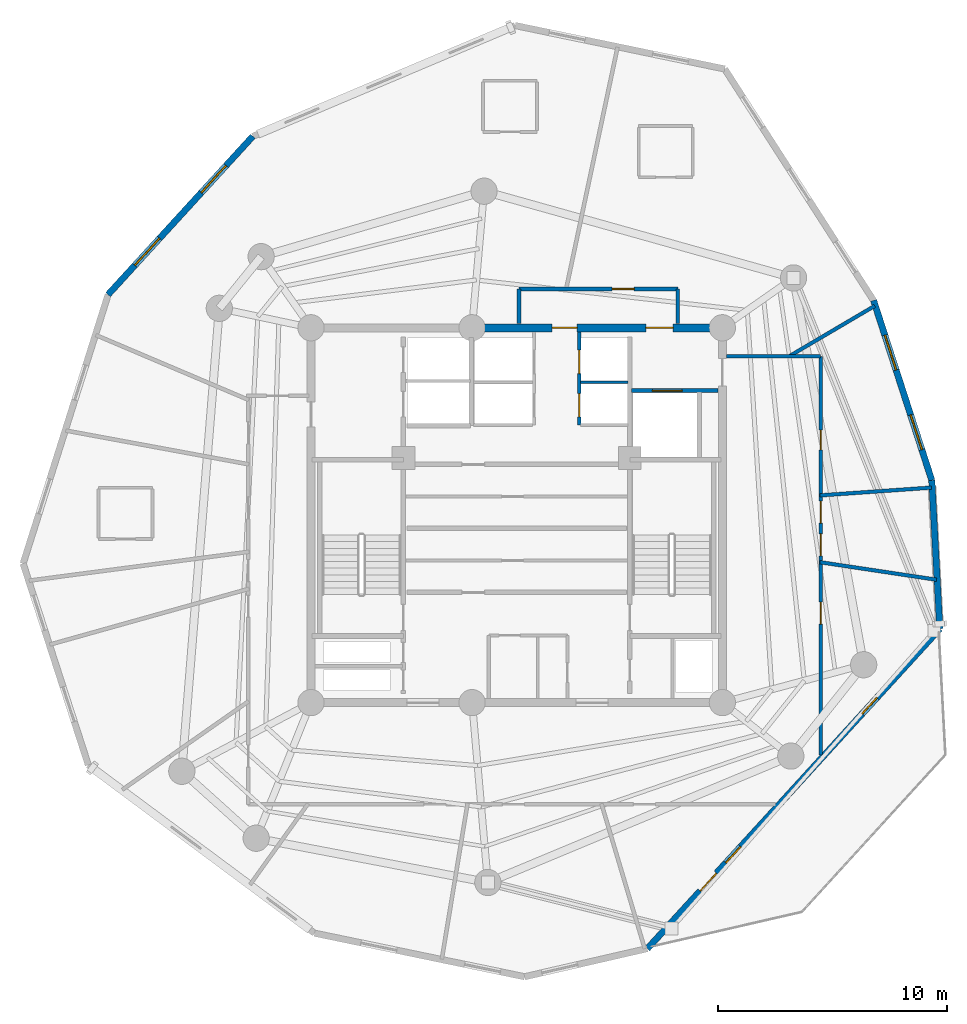
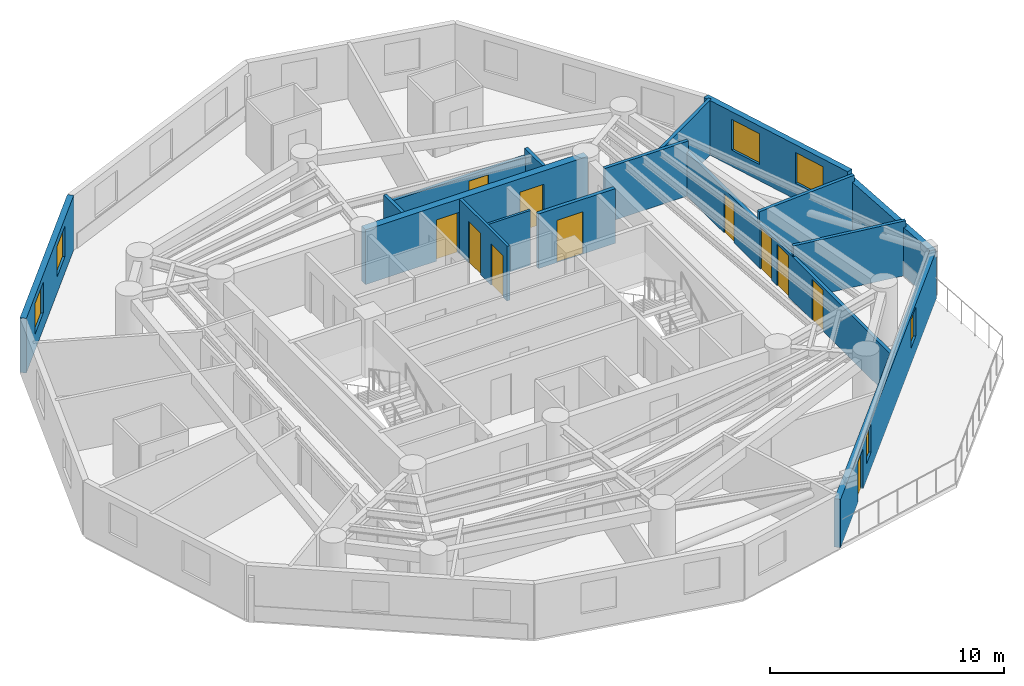
# One storey, part 5 of 9: 16 walls, 11 doors, 6 windows, 17 openings.
"""IFC4 building model written with IfcOpenShell, lengths in metres."""

from ifc_helpers import new_model, si_unit, direction, frame, frame_2d, origin, origin_with_axes, place, context, subcontext, project, spatial, rectangle, extrude, source, transform, mapped, material, layer, layer_set, type_object, element, fill, save


model = new_model("IFC4")

# Units and contexts
model_context = context("Model", 3, precision=1e-05, world=origin(), true_north=direction((0.0, 1.0)))
body_context = subcontext(model_context, "Body", "Model", "MODEL_VIEW")
ifc_project = project(units=[si_unit("LENGTHUNIT", "METRE"), si_unit("AREAUNIT", "SQUARE_METRE"), si_unit("VOLUMEUNIT", "CUBIC_METRE"), si_unit("PLANEANGLEUNIT", "RADIAN"), si_unit("MASSUNIT", "GRAM", prefix="KILO")], contexts=[model_context])

# Site, building, storey
site_placement = place(None, origin())
site = spatial("IfcSite", under=ifc_project, at=site_placement, CompositionType="ELEMENT")
building_placement = place(site_placement, origin())
building = spatial("IfcBuilding", under=site, at=building_placement, Name="Karkom Vertical University and Central Library", CompositionType="ELEMENT")
storey_placement = place(building_placement, frame((0.0, 0.0, 232.14990234375)))
storey = spatial("IfcBuildingStorey", under=building, at=storey_placement, Name="L68", CompositionType="ELEMENT", Elevation=232.14990234375)

# Wall, openings, door, windows
ifc_material_1 = material(Name="Brick-faced precast concrete C45/55", Category="masonry")
ifc_layer_1 = layer(ifc_material_1, 0.280029296875)
ifc_layer_set_1 = layer_set([ifc_layer_1], Name="Brick-faced precast concrete C45/55")
wall_type_1 = type_object("IfcWallType", Name="ENV-WL-BRK-280", PredefinedType="SOLIDWALL", material=ifc_layer_set_1)
wall_1_placement = place(storey_placement, frame((34.21826171875, 7.533203125, 0.0), z_axis=(0.0, 0.0, 1.0), x_axis=(0.674833312229, 0.737970189578, 0.0)))
wall_1 = element("IfcWall", 1, at=wall_1_placement, inside=storey, type_object=wall_type_1, Name="Level 68 Brick-Faced Precast Facade Wall 04", PredefinedType="SOLIDWALL", context=body_context, shape_type="SweptSolid", body=[
    extrude(rectangle(XDim=18.963134765625, YDim=0.280029296875, at=frame_2d((9.4814453125, 0.0))), origin(), (0.0, 0.0, 1.0), 2.52001953125),
])
opening_1_placement = place(wall_1_placement, frame((5.0908203125, 0.0, 0.85009765625)))
opening_1 = element("IfcOpeningElement", 2, at=opening_1_placement, cuts=wall_1, Name="Opening WN-12", PredefinedType="OPENING", context=body_context, shape_type="SweptSolid", body=[
    extrude(rectangle(XDim=0.949951171875, YDim=1.5, at=frame_2d((0.47509765625, 0.75))), frame((0.0, 0.14990234375, 0.0), z_axis=(0.0, -1.0, 0.0), x_axis=(1.0, 0.0, 0.0)), (0.0, 0.0, 1.0), 0.300048828125),
])
opening_2_placement = place(wall_1_placement, frame((13.927978515625, 0.0, 0.85009765625)))
opening_2 = element("IfcOpeningElement", 3, at=opening_2_placement, cuts=wall_1, Name="Opening WN-12", PredefinedType="OPENING", context=body_context, shape_type="SweptSolid", body=[
    extrude(rectangle(XDim=0.949951171875, YDim=1.5, at=frame_2d((0.47509765625, 0.75))), frame((0.0, 0.14990234375, 0.0), z_axis=(0.0, -1.0, 0.0), x_axis=(1.0, 0.0, 0.0)), (0.0, 0.0, 1.0), 0.300048828125),
])
opening_3_placement = place(wall_1_placement, frame((3.425537109375, 0.0, 0.0)))
opening_3 = element("IfcOpeningElement", 4, at=opening_3_placement, cuts=wall_1, Name="Opening TD-1", PredefinedType="OPENING", context=body_context, shape_type="SweptSolid", body=[
    extrude(rectangle(XDim=1.050048828125, YDim=2.1201171875, at=frame_2d((0.52490234375, 1.06005859375))), frame((0.0, 0.14990234375, 0.0), z_axis=(0.0, -1.0, 0.0), x_axis=(1.0, 0.0, 0.0)), (0.0, 0.0, 1.0), 0.300048828125),
])
ifc_material_2 = material(Name="Thermally broken glazed aluminium terrace door", Category="aluminium")
door_type_1 = type_object("IfcDoorType", Name="ENV-DR-TERR", OperationType="NOTDEFINED", PredefinedType="DOOR", material=ifc_material_2)
shared_shape_1 = source(origin_with_axes(), body_context, "Body", "SweptSolid", [
    extrude(rectangle(XDim=1.050048828125, YDim=2.1201171875, at=frame_2d((0.52490234375, 1.06005859375))), frame((0.0, 0.02490234375, 0.0), z_axis=(0.0, -1.0, 0.0), x_axis=(1.0, 0.0, 0.0)), (0.0, 0.0, 1.0), 0.050048828125),
])
door_1_placement = place(opening_3_placement, origin())
door_1 = element("IfcDoor", 5, at=door_1_placement, inside=storey, type_object=door_type_1, Name="Level 68 Outdoor Terrace Access Door", OperationType="SINGLE_SWING_LEFT", OverallHeight=2.1201171875, OverallWidth=1.050048828125, PredefinedType="DOOR", context=body_context, shape_type="MappedRepresentation", body=[
    mapped(shared_shape_1, transform((0.0, 0.0, 0.0), scale=1.0)),
])
fill(opening_3, door_1)
ifc_material_3 = material(Name="Aluminium thermal-break frame with solar-control IGU", Category="aluminium")
window_type_1 = type_object("IfcWindowType", Name="ENV-WIN-WN-12", PartitioningType="SINGLE_PANEL", PredefinedType="WINDOW", material=ifc_material_3)
shared_shape_2 = source(origin_with_axes(), body_context, "Body", "SweptSolid", [
    extrude(rectangle(XDim=0.949951171875, YDim=1.5, at=frame_2d((0.47509765625, 0.75))), frame((0.0, 0.030029296875, 0.0), z_axis=(0.0, -1.0, 0.0), x_axis=(1.0, 0.0, 0.0)), (0.0, 0.0, 1.0), 0.06005859375),
])
window_1_placement = place(opening_1_placement, origin())
window_1 = element("IfcWindow", 6, at=window_1_placement, inside=storey, type_object=window_type_1, Name="Level 68 Punched Window 4.1", OverallHeight=1.5, OverallWidth=0.949951171875, PartitioningType="SINGLE_PANEL", PredefinedType="WINDOW", context=body_context, shape_type="MappedRepresentation", body=[
    mapped(shared_shape_2, transform((0.0, 0.0, 0.0), scale=1.0)),
])
fill(opening_1, window_1)
window_2_placement = place(opening_2_placement, origin())
window_2 = element("IfcWindow", 7, at=window_2_placement, inside=storey, type_object=window_type_1, Name="Level 68 Punched Window 4.2", OverallHeight=1.5, OverallWidth=0.949951171875, PartitioningType="SINGLE_PANEL", PredefinedType="WINDOW", context=body_context, shape_type="MappedRepresentation", body=[
    mapped(shared_shape_2, transform((0.0, 0.0, 0.0), scale=1.0)),
])
fill(opening_2, window_2)

# Wall
wall_2_placement = place(storey_placement, frame((47.01513671875, 21.52734375, 0.0), z_axis=(0.0, 0.0, 1.0), x_axis=(-0.054009623174, 0.998540415108, 0.0)))
element("IfcWall", 8, at=wall_2_placement, inside=storey, type_object=wall_type_1, Name="Level 68 Brick-Faced Precast Facade Wall 05", PredefinedType="SOLIDWALL", context=body_context, shape_type="SweptSolid", body=[
    extrude(rectangle(XDim=6.50927734375, YDim=0.280029296875, at=frame_2d((3.254638671875, 0.0))), origin(), (0.0, 0.0, 1.0), 2.52001953125),
])

# Wall, openings, windows
wall_3_placement = place(storey_placement, frame((46.66357421875, 28.027099609375, 0.0), z_axis=(0.0, 0.0, 1.0), x_axis=(-0.307705547062, 0.951481632144, 0.0)))
wall_3 = element("IfcWall", 9, at=wall_3_placement, inside=storey, type_object=wall_type_1, Name="Level 68 Brick-Faced Precast Facade Wall 06", PredefinedType="SOLIDWALL", context=body_context, shape_type="SweptSolid", body=[
    extrude(rectangle(XDim=8.271484375, YDim=0.280029296875, at=frame_2d((4.1357421875, 0.0))), origin(), (0.0, 0.0, 1.0), 2.85009765625),
])
opening_4_placement = place(wall_3_placement, frame((1.410400390625, 0.0, 0.85009765625)))
opening_4 = element("IfcOpeningElement", 10, at=opening_4_placement, cuts=wall_3, Name="Opening WN-10", PredefinedType="OPENING", context=body_context, shape_type="SweptSolid", body=[
    extrude(rectangle(XDim=1.60009765625, YDim=1.60009765625, at=frame_2d((0.800048828125, 0.800048828125))), frame((0.0, 0.14990234375, 0.0), z_axis=(0.0, -1.0, 0.0), x_axis=(1.0, 0.0, 0.0)), (0.0, 0.0, 1.0), 0.300048828125),
])
opening_5_placement = place(wall_3_placement, frame((5.071533203125, 0.0, 0.85009765625)))
opening_5 = element("IfcOpeningElement", 11, at=opening_5_placement, cuts=wall_3, Name="Opening WN-10", PredefinedType="OPENING", context=body_context, shape_type="SweptSolid", body=[
    extrude(rectangle(XDim=1.60009765625, YDim=1.60009765625, at=frame_2d((0.800048828125, 0.800048828125))), frame((0.0, 0.14990234375, 0.0), z_axis=(0.0, -1.0, 0.0), x_axis=(1.0, 0.0, 0.0)), (0.0, 0.0, 1.0), 0.300048828125),
])
window_type_2 = type_object("IfcWindowType", Name="ENV-WIN-WN-10", PartitioningType="SINGLE_PANEL", PredefinedType="WINDOW", material=ifc_material_3)
shared_shape_3 = source(origin_with_axes(), body_context, "Body", "SweptSolid", [
    extrude(rectangle(XDim=1.60009765625, YDim=1.60009765625, at=frame_2d((0.800048828125, 0.800048828125))), frame((0.0, 0.030029296875, 0.0), z_axis=(0.0, -1.0, 0.0), x_axis=(1.0, 0.0, 0.0)), (0.0, 0.0, 1.0), 0.06005859375),
])
window_3_placement = place(opening_4_placement, origin())
window_3 = element("IfcWindow", 12, at=window_3_placement, inside=storey, type_object=window_type_2, Name="Level 68 Punched Window 6.1", OverallHeight=1.60009765625, OverallWidth=1.60009765625, PartitioningType="SINGLE_PANEL", PredefinedType="WINDOW", context=body_context, shape_type="MappedRepresentation", body=[
    mapped(shared_shape_3, transform((0.0, 0.0, 0.0), scale=1.0)),
])
fill(opening_4, window_3)
window_4_placement = place(opening_5_placement, origin())
window_4 = element("IfcWindow", 13, at=window_4_placement, inside=storey, type_object=window_type_2, Name="Level 68 Punched Window 6.2", OverallHeight=1.60009765625, OverallWidth=1.60009765625, PartitioningType="SINGLE_PANEL", PredefinedType="WINDOW", context=body_context, shape_type="MappedRepresentation", body=[
    mapped(shared_shape_3, transform((0.0, 0.0, 0.0), scale=1.0)),
])
fill(opening_5, window_4)

wall_4_placement = place(storey_placement, frame((16.955078125, 43.0791015625, 0.0), z_axis=(0.0, 0.0, 1.0), x_axis=(-0.674839626523, -0.737964415453, 0.0)))
wall_4 = element("IfcWall", 14, at=wall_4_placement, inside=storey, type_object=wall_type_1, Name="Level 68 Brick-Faced Precast Facade Wall 10", PredefinedType="SOLIDWALL", context=body_context, shape_type="SweptSolid", body=[
    extrude(rectangle(XDim=9.38671875, YDim=0.280029296875, at=frame_2d((4.693359375, 0.0))), origin(), (0.0, 0.0, 1.0), 2.85009765625),
])
opening_6_placement = place(wall_4_placement, frame((1.73681640625, 0.0, 0.85009765625)))
opening_6 = element("IfcOpeningElement", 15, at=opening_6_placement, cuts=wall_4, Name="Opening WN-10", PredefinedType="OPENING", context=body_context, shape_type="SweptSolid", body=[
    extrude(rectangle(XDim=1.60009765625, YDim=1.60009765625, at=frame_2d((0.800048828125, 0.800048828125))), frame((0.0, 0.14990234375, 0.0), z_axis=(0.0, -1.0, 0.0), x_axis=(1.0, 0.0, 0.0)), (0.0, 0.0, 1.0), 0.300048828125),
])
opening_7_placement = place(wall_4_placement, frame((6.050048828125, 0.0, 0.85009765625)))
opening_7 = element("IfcOpeningElement", 16, at=opening_7_placement, cuts=wall_4, Name="Opening WN-10", PredefinedType="OPENING", context=body_context, shape_type="SweptSolid", body=[
    extrude(rectangle(XDim=1.60009765625, YDim=1.60009765625, at=frame_2d((0.800048828125, 0.800048828125))), frame((0.0, 0.14990234375, 0.0), z_axis=(0.0, -1.0, 0.0), x_axis=(1.0, 0.0, 0.0)), (0.0, 0.0, 1.0), 0.300048828125),
])
window_5_placement = place(opening_6_placement, origin())
window_5 = element("IfcWindow", 17, at=window_5_placement, inside=storey, type_object=window_type_2, Name="Level 68 Punched Window 10.1", OverallHeight=1.60009765625, OverallWidth=1.60009765625, PartitioningType="SINGLE_PANEL", PredefinedType="WINDOW", context=body_context, shape_type="MappedRepresentation", body=[
    mapped(shared_shape_3, transform((0.0, 0.0, 0.0), scale=1.0)),
])
fill(opening_6, window_5)
window_6_placement = place(opening_7_placement, origin())
window_6 = element("IfcWindow", 18, at=window_6_placement, inside=storey, type_object=window_type_2, Name="Level 68 Punched Window 10.2", OverallHeight=1.60009765625, OverallWidth=1.60009765625, PartitioningType="SINGLE_PANEL", PredefinedType="WINDOW", context=body_context, shape_type="MappedRepresentation", body=[
    mapped(shared_shape_3, transform((0.0, 0.0, 0.0), scale=1.0)),
])
fill(opening_7, window_6)

# Wall, openings, doors
ifc_material_4 = material(Name="Insulated metal-stud drywall 160mm", Category="gypsum")
ifc_layer_2 = layer(ifc_material_4, 0.159912109375)
ifc_layer_set_2 = layer_set([ifc_layer_2], Name="Insulated metal-stud drywall 160mm")
wall_type_2 = type_object("IfcWallType", Name="INT-WL-COR-160", PredefinedType="PARTITIONING", material=ifc_layer_set_2)
wall_5_placement = place(storey_placement, frame((41.800048828125, 33.449951171875, 0.0), z_axis=(0.0, 0.0, 1.0), x_axis=(0.0, -1.0, 0.0)))
wall_5 = element("IfcWall", 19, at=wall_5_placement, inside=storey, type_object=wall_type_2, Name="Level 68 Interior Partition Wall L68-CORW-CW-005", PredefinedType="PARTITIONING", context=body_context, shape_type="SweptSolid", body=[
    extrude(rectangle(XDim=17.433349609375, YDim=0.159912109375, at=frame_2d((8.716796875, 0.0))), origin(), (0.0, 0.0, 1.0), 2.300048828125),
])
opening_8_placement = place(wall_5_placement, frame((10.75048828125, 0.0, 0.0)))
opening_8 = element("IfcOpeningElement", 20, at=opening_8_placement, cuts=wall_5, Name="Opening FD-RM2", PredefinedType="OPENING", context=body_context, shape_type="SweptSolid", body=[
    extrude(rectangle(XDim=0.9599609375, YDim=2.14990234375, at=frame_2d((0.47998046875, 1.074951171875))), frame((0.0, 0.08984375, 0.0), z_axis=(0.0, -1.0, 0.0), x_axis=(1.0, 0.0, 0.0)), (0.0, 0.0, 1.0), 0.179931640625),
])
opening_9_placement = place(wall_5_placement, frame((7.77001953125, 0.0, 0.0)))
opening_9 = element("IfcOpeningElement", 21, at=opening_9_placement, cuts=wall_5, Name="Opening FD-RM2", PredefinedType="OPENING", context=body_context, shape_type="SweptSolid", body=[
    extrude(rectangle(XDim=0.9599609375, YDim=2.14990234375, at=frame_2d((0.47998046875, 1.074951171875))), frame((0.0, 0.08984375, 0.0), z_axis=(0.0, -1.0, 0.0), x_axis=(1.0, 0.0, 0.0)), (0.0, 0.0, 1.0), 0.179931640625),
])
opening_10_placement = place(wall_5_placement, frame((6.33251953125, 0.0, 0.0)))
opening_10 = element("IfcOpeningElement", 22, at=opening_10_placement, cuts=wall_5, Name="Opening FD-RM2", PredefinedType="OPENING", context=body_context, shape_type="SweptSolid", body=[
    extrude(rectangle(XDim=0.9599609375, YDim=2.14990234375, at=frame_2d((0.47998046875, 1.074951171875))), frame((0.0, 0.08984375, 0.0), z_axis=(0.0, -1.0, 0.0), x_axis=(1.0, 0.0, 0.0)), (0.0, 0.0, 1.0), 0.179931640625),
])
opening_11_placement = place(wall_5_placement, frame((3.231201171875, 0.0, 0.0)))
opening_11 = element("IfcOpeningElement", 23, at=opening_11_placement, cuts=wall_5, Name="Opening FD-BTH2", PredefinedType="OPENING", context=body_context, shape_type="SweptSolid", body=[
    extrude(rectangle(XDim=0.860107421875, YDim=2.0400390625, at=frame_2d((0.43017578125, 1.02001953125))), frame((0.0, 0.08984375, 0.0), z_axis=(0.0, -1.0, 0.0), x_axis=(1.0, 0.0, 0.0)), (0.0, 0.0, 1.0), 0.179931640625),
])
ifc_material_5 = material(Name="Fire-rated oak veneer door", Category="wood")
door_type_2 = type_object("IfcDoorType", Name="INT-DR-FRM2", OperationType="NOTDEFINED", PredefinedType="DOOR", material=ifc_material_5)
shared_shape_4 = source(origin_with_axes(), body_context, "Body", "SweptSolid", [
    extrude(rectangle(XDim=0.9599609375, YDim=2.14990234375, at=frame_2d((0.47998046875, 1.074951171875))), frame((0.0, 0.02490234375, 0.0), z_axis=(0.0, -1.0, 0.0), x_axis=(1.0, 0.0, 0.0)), (0.0, 0.0, 1.0), 0.050048828125),
])
door_2_placement = place(opening_8_placement, origin())
door_2 = element("IfcDoor", 24, at=door_2_placement, inside=storey, type_object=door_type_2, Name="Level 68 Room Entry Door 306", OperationType="SINGLE_SWING_RIGHT", OverallHeight=2.14990234375, OverallWidth=0.9599609375, PredefinedType="DOOR", context=body_context, shape_type="MappedRepresentation", body=[
    mapped(shared_shape_4, transform((0.0, 0.0, 0.0), scale=1.0)),
])
fill(opening_8, door_2)
door_3_placement = place(opening_9_placement, origin())
door_3 = element("IfcDoor", 25, at=door_3_placement, inside=storey, type_object=door_type_2, Name="Level 68 Room Entry Door 307", OperationType="SINGLE_SWING_LEFT", OverallHeight=2.14990234375, OverallWidth=0.9599609375, PredefinedType="DOOR", context=body_context, shape_type="MappedRepresentation", body=[
    mapped(shared_shape_4, transform((0.0, 0.0, 0.0), scale=1.0)),
])
fill(opening_9, door_3)
door_4_placement = place(opening_10_placement, origin())
door_4 = element("IfcDoor", 26, at=door_4_placement, inside=storey, type_object=door_type_2, Name="Level 68 Room Entry Door 308", OperationType="SINGLE_SWING_RIGHT", OverallHeight=2.14990234375, OverallWidth=0.9599609375, PredefinedType="DOOR", context=body_context, shape_type="MappedRepresentation", body=[
    mapped(shared_shape_4, transform((0.0, 0.0, 0.0), scale=1.0)),
])
fill(opening_10, door_4)
ifc_material_6 = material(Name="Fire-rated moisture-resistant oak door", Category="wood")
door_type_3 = type_object("IfcDoorType", Name="INT-DR-FBTH2", OperationType="NOTDEFINED", PredefinedType="DOOR", material=ifc_material_6)
shared_shape_5 = source(origin_with_axes(), body_context, "Body", "SweptSolid", [
    extrude(rectangle(XDim=0.860107421875, YDim=2.0400390625, at=frame_2d((0.43017578125, 1.02001953125))), frame((0.0, 0.02490234375, 0.0), z_axis=(0.0, -1.0, 0.0), x_axis=(1.0, 0.0, 0.0)), (0.0, 0.0, 1.0), 0.050048828125),
])
door_5_placement = place(opening_11_placement, origin())
door_5 = element("IfcDoor", 27, at=door_5_placement, inside=storey, type_object=door_type_3, Name="Level 68 Faculty Consultation Office Entry Door", OperationType="SINGLE_SWING_RIGHT", OverallHeight=2.0400390625, OverallWidth=0.860107421875, PredefinedType="DOOR", context=body_context, shape_type="MappedRepresentation", body=[
    mapped(shared_shape_5, transform((0.0, 0.0, 0.0), scale=1.0)),
])
fill(opening_11, door_5)

# Wall, opening, door
wall_6_placement = place(storey_placement, frame((28.60009765625, 36.39990234375, 0.0), z_axis=(0.0, 0.0, 1.0), x_axis=(1.0, 0.0, 0.0)))
wall_6 = element("IfcWall", 28, at=wall_6_placement, inside=storey, type_object=wall_type_2, Name="Level 68 Interior Partition Wall L68-CORW-CW-007", PredefinedType="PARTITIONING", context=body_context, shape_type="SweptSolid", body=[
    extrude(rectangle(XDim=6.949951171875, YDim=0.159912109375, at=frame_2d((3.47509765625, 0.0))), origin(), (0.0, 0.0, 1.0), 2.4501953125),
])
opening_12_placement = place(wall_6_placement, frame((4.081298828125, 0.0, 0.0)))
opening_12 = element("IfcOpeningElement", 29, at=opening_12_placement, cuts=wall_6, Name="Opening FD-RM2", PredefinedType="OPENING", context=body_context, shape_type="SweptSolid", body=[
    extrude(rectangle(XDim=0.9599609375, YDim=2.14990234375, at=frame_2d((0.47998046875, 1.074951171875))), frame((0.0, 0.08984375, 0.0), z_axis=(0.0, -1.0, 0.0), x_axis=(1.0, 0.0, 0.0)), (0.0, 0.0, 1.0), 0.179931640625),
])
door_6_placement = place(opening_12_placement, origin())
door_6 = element("IfcDoor", 30, at=door_6_placement, inside=storey, type_object=door_type_2, Name="Level 68 Room Entry Door 418", OperationType="SINGLE_SWING_LEFT", OverallHeight=2.14990234375, OverallWidth=0.9599609375, PredefinedType="DOOR", context=body_context, shape_type="MappedRepresentation", body=[
    mapped(shared_shape_4, transform((0.0, 0.0, 0.0), scale=1.0)),
])
fill(opening_12, door_6)

# Walls
wall_7_placement = place(storey_placement, frame((41.770263671875, 24.443603515625, 0.0), z_axis=(0.0, 0.0, 1.0), x_axis=(0.988879708695, -0.148717590527, 0.0)))
element("IfcWall", 31, at=wall_7_placement, inside=storey, type_object=wall_type_2, Name="Level 68 Interior Partition Wall L68-PW-008", PredefinedType="PARTITIONING", context=body_context, shape_type="SweptSolid", body=[
    extrude(rectangle(XDim=5.15966796875, YDim=0.159912109375, at=frame_2d((2.579833984375, 0.0))), origin(), (0.0, 0.0, 1.0), 2.85009765625),
])
wall_8_placement = place(storey_placement, frame((41.77001953125, 27.366455078125, 0.0), z_axis=(0.0, 0.0, 1.0), x_axis=(0.99757228295, 0.06963864078, 0.0)))
element("IfcWall", 32, at=wall_8_placement, inside=storey, type_object=wall_type_2, Name="Level 68 Interior Partition Wall L68-PW-009", PredefinedType="PARTITIONING", context=body_context, shape_type="SweptSolid", body=[
    extrude(rectangle(XDim=4.897705078125, YDim=0.159912109375, at=frame_2d((2.44873046875, 0.0))), origin(), (0.0, 0.0, 1.0), 2.85009765625),
])
wall_9_placement = place(storey_placement, frame((40.39111328125, 33.434814453125, 0.0), z_axis=(0.0, 0.0, 1.0), x_axis=(0.861637645298, 0.507523958257, 0.0)))
element("IfcWall", 33, at=wall_9_placement, inside=storey, type_object=wall_type_2, Name="Level 68 Interior Partition Wall L68-PW-010", PredefinedType="PARTITIONING", context=body_context, shape_type="SweptSolid", body=[
    extrude(rectangle(XDim=4.3828125, YDim=0.159912109375, at=frame_2d((2.19140625, 0.0))), origin(), (0.0, 0.0, 1.0), 2.85009765625),
])
wall_10_placement = place(storey_placement, frame((37.681884765625, 33.449951171875, 0.0), z_axis=(0.0, 0.0, 1.0), x_axis=(1.0, 0.0, 0.0)))
element("IfcWall", 34, at=wall_10_placement, inside=storey, type_object=wall_type_2, Name="Level 68 Interior Partition Wall L68-CORW-CW-004", PredefinedType="PARTITIONING", context=body_context, shape_type="SweptSolid", body=[
    extrude(rectangle(XDim=4.1181640625, YDim=0.159912109375, at=frame_2d((2.05908203125, 0.0))), origin(), (0.0, 0.0, 1.0), 2.85009765625),
])
for number, where, z_axis, x_axis, name in (
    (35, (28.60009765625, 34.882080078125, 0.0), (0.0, 0.0, 1.0), (0.0, 1.0, 0.0), "Level 68 Interior Partition Wall L68-CORW-CW-006"),
    (36, (35.550048828125, 36.39990234375, 0.0), (0.0, 0.0, 1.0), (0.0, -1.0, 0.0), "Level 68 Interior Partition Wall L68-CORW-CW-008"),
):
    element("IfcWall", number, at=place(storey_placement, frame(where, z_axis=z_axis, x_axis=x_axis)), inside=storey, type_object=wall_type_2, Name=name, PredefinedType="PARTITIONING", context=body_context, shape_type="SweptSolid", body=[
        extrude(rectangle(XDim=1.517822265625, YDim=0.159912109375, at=frame_2d((0.7587890625, 0.0))), origin(), (0.0, 0.0, 1.0), 2.85009765625),
    ])
ifc_material_7 = material(Name="Moisture-resistant drywall 120mm", Category="gypsum")
ifc_layer_3 = layer(ifc_material_7, 0.1201171875)
ifc_layer_set_3 = layer_set([ifc_layer_3], Name="Moisture-resistant drywall 120mm")
wall_type_3 = type_object("IfcWallType", Name="INT-WL-INT-120H", PredefinedType="PARTITIONING", material=ifc_layer_set_3)
wall_11_placement = place(storey_placement, frame((31.300048828125, 32.320068359375, 0.0), z_axis=(0.0, 0.0, 1.0), x_axis=(1.0, 0.0, 0.0)))
element("IfcWall", 37, at=wall_11_placement, inside=storey, type_object=wall_type_3, Name="Level 68 Interior Partition Wall L68-CW-PH-ME", PredefinedType="PARTITIONING", context=body_context, shape_type="SweptSolid", body=[
    extrude(rectangle(XDim=2.074951171875, YDim=0.1201171875, at=frame_2d((1.03759765625, 0.0))), origin(), (0.0, 0.0, 1.0), 2.85009765625),
])

# Wall, openings, doors
ifc_material_8 = material(Name="Metal-stud gypsum partition 140mm", Category="gypsum")
ifc_layer_4 = layer(ifc_material_8, 0.139892578125)
ifc_layer_set_4 = layer_set([ifc_layer_4], Name="Metal-stud gypsum partition 140mm")
wall_type_4 = type_object("IfcWallType", Name="INT-WL-SUB-140H", PredefinedType="PARTITIONING", material=ifc_layer_set_4)
wall_12_placement = place(storey_placement, frame((31.239990234375, 30.449951171875, 0.0), z_axis=(0.0, 0.0, 1.0), x_axis=(0.0, 1.0, 0.0)))
wall_12 = element("IfcWall", 38, at=wall_12_placement, inside=storey, type_object=wall_type_4, Name="Level 68 Interior Partition Wall L68-CW-PH-E", PredefinedType="PARTITIONING", context=body_context, shape_type="SweptSolid", body=[
    extrude(rectangle(XDim=4.068115234375, YDim=0.139892578125, at=frame_2d((2.0341796875, 0.0))), origin(), (0.0, 0.0, 1.0), 2.85009765625),
])
opening_13_placement = place(wall_12_placement, frame((0.35009765625, 0.0, 0.0)))
opening_13 = element("IfcOpeningElement", 39, at=opening_13_placement, cuts=wall_12, Name="Opening LD-PH", PredefinedType="OPENING", context=body_context, shape_type="SweptSolid", body=[
    extrude(rectangle(XDim=1.02001953125, YDim=2.14990234375, at=frame_2d((0.510009765625, 1.074951171875))), frame((0.0, 0.080078125, 0.0), z_axis=(0.0, -1.0, 0.0), x_axis=(1.0, 0.0, 0.0)), (0.0, 0.0, 1.0), 0.159912109375),
])
opening_14_placement = place(wall_12_placement, frame((2.25, 0.0, 0.0)))
opening_14 = element("IfcOpeningElement", 40, at=opening_14_placement, cuts=wall_12, Name="Opening LD-PH", PredefinedType="OPENING", context=body_context, shape_type="SweptSolid", body=[
    extrude(rectangle(XDim=1.02001953125, YDim=2.14990234375, at=frame_2d((0.510009765625, 1.074951171875))), frame((0.0, 0.080078125, 0.0), z_axis=(0.0, -1.0, 0.0), x_axis=(1.0, 0.0, 0.0)), (0.0, 0.0, 1.0), 0.159912109375),
])
ifc_material_9 = material(Name="Brushed stainless-steel landing door", Category="steel")
door_type_4 = type_object("IfcDoorType", Name="INT-DR-LD-PH", OperationType="SLIDING_TO_LEFT", PredefinedType="DOOR", material=ifc_material_9)
shared_shape_6 = source(origin_with_axes(), body_context, "Body", "SweptSolid", [
    extrude(rectangle(XDim=1.02001953125, YDim=2.14990234375, at=frame_2d((0.510009765625, 1.074951171875))), frame((0.0, 0.02490234375, 0.0), z_axis=(0.0, -1.0, 0.0), x_axis=(1.0, 0.0, 0.0)), (0.0, 0.0, 1.0), 0.050048828125),
])
door_7_placement = place(opening_13_placement, origin())
door_7 = element("IfcDoor", 41, at=door_7_placement, inside=storey, type_object=door_type_4, Name="Level 68 Lift PH-3 Landing Door", OperationType="SLIDING_TO_LEFT", OverallHeight=2.14990234375, OverallWidth=1.02001953125, PredefinedType="DOOR", context=body_context, shape_type="MappedRepresentation", body=[
    mapped(shared_shape_6, transform((0.0, 0.0, 0.0), scale=1.0)),
])
fill(opening_13, door_7)
door_8_placement = place(opening_14_placement, origin())
door_8 = element("IfcDoor", 42, at=door_8_placement, inside=storey, type_object=door_type_4, Name="Level 68 Lift PH-4 Landing Door", OperationType="SLIDING_TO_LEFT", OverallHeight=2.14990234375, OverallWidth=1.02001953125, PredefinedType="DOOR", context=body_context, shape_type="MappedRepresentation", body=[
    mapped(shared_shape_6, transform((0.0, 0.0, 0.0), scale=1.0)),
])
fill(opening_14, door_8)

# Wall, opening, door
ifc_material_10 = material(Name="Twin-stud acoustic drywall 180mm", Category="gypsum")
ifc_layer_5 = layer(ifc_material_10, 0.179931640625)
ifc_layer_set_5 = layer_set([ifc_layer_5], Name="Twin-stud acoustic drywall 180mm")
wall_type_5 = type_object("IfcWallType", Name="INT-WL-TEN-180F", PredefinedType="PARTITIONING", material=ifc_layer_set_5)
wall_13_placement = place(storey_placement, frame((33.534912109375, 31.949951171875, 0.0), z_axis=(0.0, 0.0, 1.0), x_axis=(1.0, 0.0, 0.0)))
wall_13 = element("IfcWall", 43, at=wall_13_placement, inside=storey, type_object=wall_type_5, Name="Level 68 Interior Partition Wall L68-CW-SVL-N", PredefinedType="PARTITIONING", context=body_context, shape_type="SweptSolid", body=[
    extrude(rectangle(XDim=3.783935546875, YDim=0.179931640625, at=frame_2d((1.89208984375, 0.0))), origin(), (0.0, 0.0, 1.0), 2.85009765625),
])
opening_15_placement = place(wall_13_placement, frame((0.89990234375, 0.0, 0.0)))
opening_15 = element("IfcOpeningElement", 44, at=opening_15_placement, cuts=wall_13, Name="Opening LD-SV1", PredefinedType="OPENING", context=body_context, shape_type="SweptSolid", body=[
    extrude(rectangle(XDim=1.300048828125, YDim=2.199951171875, at=frame_2d((0.64990234375, 1.10009765625))), frame((0.0, 0.10009765625, 0.0), z_axis=(0.0, -1.0, 0.0), x_axis=(1.0, 0.0, 0.0)), (0.0, 0.0, 1.0), 0.199951171875),
])
door_type_5 = type_object("IfcDoorType", Name="INT-DR-LD-SV1", OperationType="SLIDING_TO_LEFT", PredefinedType="DOOR", material=ifc_material_9)
shared_shape_7 = source(origin_with_axes(), body_context, "Body", "SweptSolid", [
    extrude(rectangle(XDim=1.300048828125, YDim=2.199951171875, at=frame_2d((0.64990234375, 1.10009765625))), frame((0.0, 0.02490234375, 0.0), z_axis=(0.0, -1.0, 0.0), x_axis=(1.0, 0.0, 0.0)), (0.0, 0.0, 1.0), 0.050048828125),
])
door_9_placement = place(opening_15_placement, origin())
door_9 = element("IfcDoor", 45, at=door_9_placement, inside=storey, type_object=door_type_5, Name="Level 68 Service Lift Landing Door LD-SV1", OperationType="SLIDING_TO_LEFT", OverallHeight=2.199951171875, OverallWidth=1.300048828125, PredefinedType="DOOR", context=body_context, shape_type="MappedRepresentation", body=[
    mapped(shared_shape_7, transform((0.0, 0.0, 0.0), scale=1.0)),
])
fill(opening_15, door_9)

# Wall, openings, doors
ifc_material_11 = material(Name="Concrete C45/55", Category="concrete")
ifc_layer_6 = layer(ifc_material_11, 0.35009765625)
ifc_layer_set_6 = layer_set([ifc_layer_6], Name="Concrete C45/55")
wall_type_6 = type_object("IfcWallType", Name="STR-WL-CW-350", PredefinedType="SHEAR", material=ifc_layer_set_6)
wall_14_placement = place(storey_placement, frame((37.5, 34.699951171875, 0.0), z_axis=(0.0, 0.0, 1.0), x_axis=(-1.0, 0.0, 0.0)))
wall_14 = element("IfcWall", 46, at=wall_14_placement, inside=storey, type_object=wall_type_6, Name="Level 68 Central Core Shear Wall NW1", PredefinedType="SHEAR", context=body_context, shape_type="SweptSolid", body=[
    extrude(rectangle(XDim=10.949951171875, YDim=0.35009765625, at=frame_2d((5.47509765625, 0.0))), origin(), (0.0, 0.0, 1.0), 2.85009765625),
])
opening_16_placement = place(wall_14_placement, frame((2.14990234375, 0.0, 0.0)))
opening_16 = element("IfcOpeningElement", 47, at=opening_16_placement, cuts=wall_14, Name="Opening FD-SUB1", PredefinedType="OPENING", context=body_context, shape_type="SweptSolid", body=[
    extrude(rectangle(XDim=1.199951171875, YDim=2.14990234375, at=frame_2d((0.60009765625, 1.074951171875))), frame((0.0, 0.18505859375, 0.0), z_axis=(0.0, -1.0, 0.0), x_axis=(1.0, 0.0, 0.0)), (0.0, 0.0, 1.0), 0.3701171875),
])
opening_17_placement = place(wall_14_placement, frame((6.35009765625, 0.0, 0.0)))
opening_17 = element("IfcOpeningElement", 48, at=opening_17_placement, cuts=wall_14, Name="Opening FD-FFL", PredefinedType="OPENING", context=body_context, shape_type="SweptSolid", body=[
    extrude(rectangle(XDim=1.10009765625, YDim=2.14990234375, at=frame_2d((0.550048828125, 1.074951171875))), frame((0.0, 0.18505859375, 0.0), z_axis=(0.0, -1.0, 0.0), x_axis=(1.0, 0.0, 0.0)), (0.0, 0.0, 1.0), 0.3701171875),
])
ifc_material_12 = material(Name="Painted steel smoke-seal fire door", Category="steel")
door_type_6 = type_object("IfcDoorType", Name="INT-DR-FFL", OperationType="NOTDEFINED", PredefinedType="DOOR", material=ifc_material_12)
shared_shape_8 = source(origin_with_axes(), body_context, "Body", "SweptSolid", [
    extrude(rectangle(XDim=1.10009765625, YDim=2.14990234375, at=frame_2d((0.550048828125, 1.074951171875))), frame((0.0, 0.02490234375, 0.0), z_axis=(0.0, -1.0, 0.0), x_axis=(1.0, 0.0, 0.0)), (0.0, 0.0, 1.0), 0.050048828125),
])
door_10_placement = place(opening_17_placement, origin())
door_10 = element("IfcDoor", 49, at=door_10_placement, inside=storey, type_object=door_type_6, Name="Level 68 North Core Lobby Exit Door", OperationType="SINGLE_SWING_LEFT", OverallHeight=2.14990234375, OverallWidth=1.10009765625, PredefinedType="DOOR", context=body_context, shape_type="MappedRepresentation", body=[
    mapped(shared_shape_8, transform((0.0, 0.0, 0.0), scale=1.0)),
])
fill(opening_17, door_10)
ifc_material_13 = material(Name="Painted steel fire door", Category="steel")
door_type_7 = type_object("IfcDoorType", Name="INT-DR-SUB1", OperationType="NOTDEFINED", PredefinedType="DOOR", material=ifc_material_13)
shared_shape_9 = source(origin_with_axes(), body_context, "Body", "SweptSolid", [
    extrude(rectangle(XDim=1.199951171875, YDim=2.14990234375, at=frame_2d((0.60009765625, 1.074951171875))), frame((0.0, 0.02490234375, 0.0), z_axis=(0.0, -1.0, 0.0), x_axis=(1.0, 0.0, 0.0)), (0.0, 0.0, 1.0), 0.050048828125),
])
door_11_placement = place(opening_16_placement, origin())
door_11 = element("IfcDoor", 50, at=door_11_placement, inside=storey, type_object=door_type_7, Name="Level 68 Service Lobby Fire Door", OperationType="SINGLE_SWING_LEFT", OverallHeight=2.14990234375, OverallWidth=1.199951171875, PredefinedType="DOOR", context=body_context, shape_type="MappedRepresentation", body=[
    mapped(shared_shape_9, transform((0.0, 0.0, 0.0), scale=1.0)),
])
fill(opening_16, door_11)

save(model, "model.ifc")
